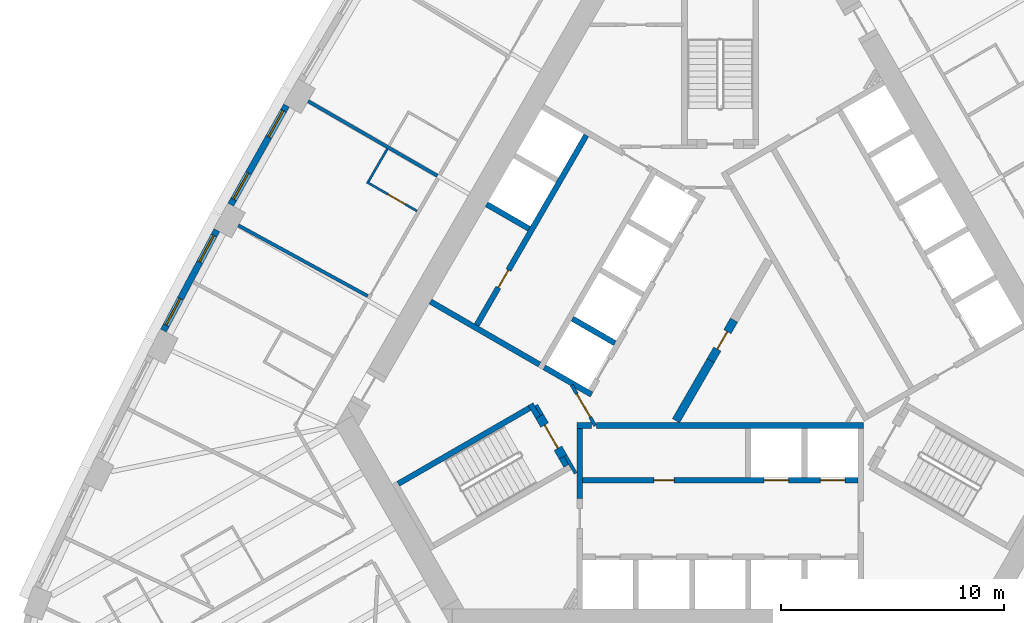
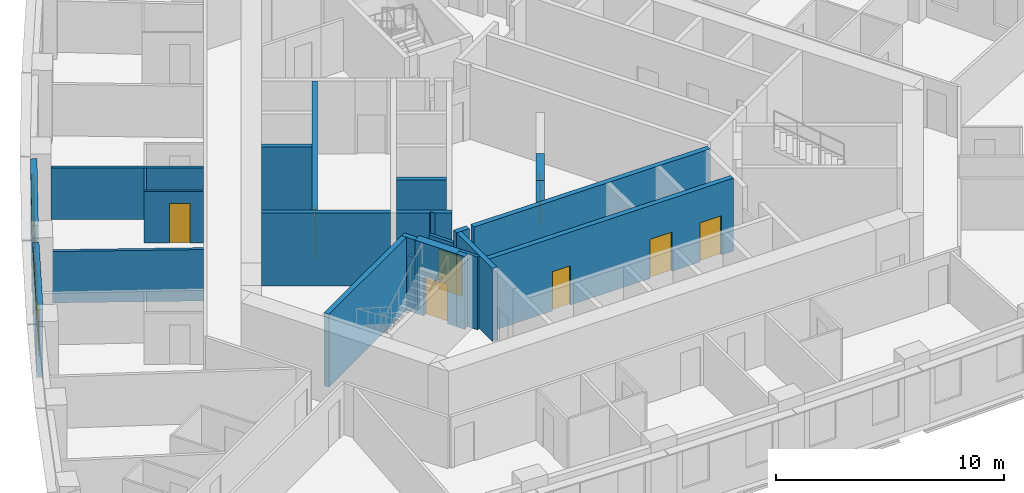
# One storey, part 5 of 12: 24 walls, 8 doors, 4 windows, 12 openings.
"""IFC4 building model written with IfcOpenShell, lengths in metres."""

from ifc_helpers import new_model, si_unit, direction, frame, frame_2d, origin, place, context, subcontext, project, spatial, polyline, rectangle, outline, extrude, material, layer, layer_set, type_object, element, fill, save


model = new_model("IFC4")

# Units and contexts
model_context = context("Model", 3, precision=1e-05, world=origin(), true_north=direction((0.0, 1.0)))
body_context = subcontext(model_context, "Body", "Model", "MODEL_VIEW")
ifc_project = project(units=[si_unit("LENGTHUNIT", "METRE"), si_unit("AREAUNIT", "SQUARE_METRE"), si_unit("VOLUMEUNIT", "CUBIC_METRE"), si_unit("PLANEANGLEUNIT", "RADIAN"), si_unit("MASSUNIT", "GRAM", prefix="KILO")], contexts=[model_context])

# Site, building, storey
site_placement = place(None, origin())
site = spatial("IfcSite", under=ifc_project, at=site_placement, CompositionType="ELEMENT")
building_placement = place(site_placement, origin())
building = spatial("IfcBuilding", under=site, at=building_placement, Name="Mestral Congress Tower", CompositionType="ELEMENT")
storey_placement = place(building_placement, frame((0.0, 0.0, 107.10009765625)))
storey = spatial("IfcBuildingStorey", under=building, at=storey_placement, Name="L25", CompositionType="ELEMENT", Elevation=107.10009765625)

# Walls
ifc_material_1 = material(Name="Fire-rated board partition")
ifc_layer_1 = layer(ifc_material_1, 0.14990234375)
ifc_layer_set_1 = layer_set([ifc_layer_1], Name="Fire-rated board partition")
wall_type_1 = type_object("IfcWallType", Name="Core partition 150", PredefinedType="PARTITIONING", material=ifc_layer_set_1)
wall_1_placement = place(storey_placement, frame((-8.251953125, -2.958251953125, 0.0), z_axis=(0.0, 0.0, 1.0), x_axis=(0.500174715838, -0.865924508047, 0.0)))
element("IfcWall", 1, at=wall_1_placement, inside=storey, type_object=wall_type_1, Name="L25 core wall", PredefinedType="PARTITIONING", context=body_context, shape_type="SweptSolid", body=[
    extrude(rectangle(XDim=0.513916015625, YDim=0.14990234375, at=frame_2d((0.2568359375, 0.0))), origin(), (0.0, 0.0, 1.0), 2.75),
])
placement = place(storey_placement, origin())
element("IfcWall", 2, at=placement, inside=storey, type_object=wall_type_1, Name="L25 core wall", PredefinedType="PARTITIONING", context=body_context, shape_type="SweptSolid", body=[
    extrude(outline(polyline([(-0.590087890625, -0.871826171875), (-0.26513671875, -1.059326171875), (-1.822021484375, -3.755615234375), (-2.146728515625, -3.568115234375), (-0.590087890625, -0.871826171875)])), origin(), (0.0, 0.0, 1.0), 2.75),
])

# Wall, opening, door
wall_3_placement = place(storey_placement, frame((-5.606201171875, -3.8896484375, 0.0), z_axis=(0.0, 0.0, 1.0), x_axis=(-0.500027713859, 0.866009402589, 0.0)))
wall_3 = element("IfcWall", 3, at=wall_3_placement, inside=storey, type_object=wall_type_1, Name="L25 door wall", PredefinedType="PARTITIONING", context=body_context, shape_type="SweptSolid", body=[
    extrude(rectangle(XDim=2.10009765625, YDim=0.14990234375, at=frame_2d((1.050048828125, 0.0))), origin(), (0.0, 0.0, 1.0), 2.75),
])
opening_1_placement = place(wall_3_placement, frame((0.449951171875, 0.0, 0.0)))
opening_1 = element("IfcOpeningElement", 4, at=opening_1_placement, cuts=wall_3, Name="Opening CD3-FF", PredefinedType="OPENING", context=body_context, shape_type="SweptSolid", body=[
    extrude(rectangle(XDim=1.199951171875, YDim=2.10009765625, at=frame_2d((0.60009765625, 1.050048828125))), frame((0.0, 0.0849609375, 0.0), z_axis=(0.0, -1.0, 0.0), x_axis=(1.0, 0.0, 0.0)), (0.0, 0.0, 1.0), 0.169921875),
])
ifc_material_2 = material(Name="Fire-rated steel door set", Category="steel")
door_type_1 = type_object("IfcDoorType", Name="Core door CD 1200x2100", OperationType="SINGLE_SWING_LEFT", PredefinedType="DOOR", material=ifc_material_2)
door_1_placement = place(opening_1_placement, origin())
door_1 = element("IfcDoor", 5, at=door_1_placement, inside=storey, type_object=door_type_1, Name="Door CD3-FF", OperationType="SINGLE_SWING_LEFT", OverallHeight=2.10009765625, OverallWidth=1.199951171875, PredefinedType="DOOR", context=body_context, shape_type="SweptSolid", body=[
    extrude(rectangle(XDim=1.199951171875, YDim=2.10009765625, at=frame_2d((0.60009765625, 1.050048828125))), frame((0.0, 0.02490234375, 0.0), z_axis=(0.0, -1.0, 0.0), x_axis=(1.0, 0.0, 0.0)), (0.0, 0.0, 1.0), 0.050048828125),
])
fill(opening_1, door_1)

ifc_layer_2 = layer(ifc_material_1, 0.375)
ifc_layer_set_2 = layer_set([ifc_layer_2], Name="Fire-rated board partition")
wall_type_2 = type_object("IfcWallType", Name="Core partition 150 door-wall 375", PredefinedType="PARTITIONING", material=ifc_layer_set_2)
wall_4_placement = place(storey_placement, frame((-0.427490234375, -0.965576171875, 0.0), z_axis=(0.0, 0.0, 1.0), x_axis=(0.49994051562, 0.866059744384, 0.0)))
wall_4 = element("IfcWall", 6, at=wall_4_placement, inside=storey, type_object=wall_type_2, Name="L25 door wall", PredefinedType="PARTITIONING", context=body_context, shape_type="SweptSolid", body=[
    extrude(rectangle(XDim=2.099853515625, YDim=0.375, at=frame_2d((1.0498046875, 0.0))), origin(), (0.0, 0.0, 1.0), 2.75),
])
opening_2_placement = place(wall_4_placement, frame((0.60009765625, 0.0, 0.0)))
opening_2 = element("IfcOpeningElement", 7, at=opening_2_placement, cuts=wall_4, Name="Opening CD1-HUB0", PredefinedType="OPENING", context=body_context, shape_type="SweptSolid", body=[
    extrude(rectangle(XDim=0.89990234375, YDim=2.10009765625, at=frame_2d((0.449951171875, 1.050048828125))), frame((0.0, 0.197509765625, 0.0), z_axis=(0.0, -1.0, 0.0), x_axis=(1.0, 0.0, 0.0)), (0.0, 0.0, 1.0), 0.39501953125),
])
door_type_2 = type_object("IfcDoorType", Name="Core door CD 900x2100", OperationType="SINGLE_SWING_LEFT", PredefinedType="DOOR", material=ifc_material_2)
door_2_placement = place(opening_2_placement, origin())
door_2 = element("IfcDoor", 8, at=door_2_placement, inside=storey, type_object=door_type_2, Name="Door CD1-HUB0", OperationType="SINGLE_SWING_LEFT", OverallHeight=2.10009765625, OverallWidth=0.89990234375, PredefinedType="DOOR", context=body_context, shape_type="SweptSolid", body=[
    extrude(rectangle(XDim=0.89990234375, YDim=2.10009765625, at=frame_2d((0.449951171875, 1.050048828125))), frame((0.0, 0.02490234375, 0.0), z_axis=(0.0, -1.0, 0.0), x_axis=(1.0, 0.0, 0.0)), (0.0, 0.0, 1.0), 0.050048828125),
])
fill(opening_2, door_2)

# Wall, openings, windows
ifc_material_3 = material(Name="Precast concrete C40/50 with limestone facing", Category="masonry")
ifc_layer_3 = layer(ifc_material_3, 0.2900390625)
ifc_layer_set_3 = layer_set([ifc_layer_3], Name="Precast concrete C40/50 with limestone facing")
wall_type_3 = type_object("IfcWallType", Name="Facade stone wall 290", PredefinedType="SOLIDWALL", material=ifc_layer_set_3)
wall_5_placement = place(storey_placement, frame((-19.4580078125, 10.479736328125, 0.0), z_axis=(0.0, 0.0, 1.0), x_axis=(-0.48983164787, -0.87181704316, 0.0)))
wall_5 = element("IfcWall", 9, at=wall_5_placement, inside=storey, type_object=wall_type_3, Name="Facade wall F2-04", PredefinedType="SOLIDWALL", context=body_context, shape_type="SweptSolid", body=[
    extrude(rectangle(XDim=5.100341796875, YDim=0.2900390625, at=frame_2d((2.55029296875, 0.0))), origin(), (0.0, 0.0, 1.0), 3.64990234375),
])
opening_3_placement = place(wall_5_placement, frame((0.2724609375, 0.0, 0.89990234375)))
opening_3 = element("IfcOpeningElement", 10, at=opening_3_placement, cuts=wall_5, Name="Opening W2", PredefinedType="OPENING", context=body_context, shape_type="SweptSolid", body=[
    extrude(rectangle(XDim=1.35009765625, YDim=2.14990234375, at=frame_2d((0.675048828125, 1.074951171875))), frame((0.0, 0.155029296875, 0.0), z_axis=(0.0, -1.0, 0.0), x_axis=(1.0, 0.0, 0.0)), (0.0, 0.0, 1.0), 0.31005859375),
])
opening_4_placement = place(wall_5_placement, frame((3.477783203125, 0.0, 0.89990234375)))
opening_4 = element("IfcOpeningElement", 11, at=opening_4_placement, cuts=wall_5, Name="Opening W2", PredefinedType="OPENING", context=body_context, shape_type="SweptSolid", body=[
    extrude(rectangle(XDim=1.35009765625, YDim=2.14990234375, at=frame_2d((0.675048828125, 1.074951171875))), frame((0.0, 0.155029296875, 0.0), z_axis=(0.0, -1.0, 0.0), x_axis=(1.0, 0.0, 0.0)), (0.0, 0.0, 1.0), 0.31005859375),
])
ifc_material_4 = material(Name="Clear low-emissivity double glazing", Category="glass")
window_type = type_object("IfcWindowType", Name="Facade punched window 1350 x 2150 sill 900", PartitioningType="DOUBLE_PANEL_VERTICAL", PredefinedType="WINDOW", material=ifc_material_4)
window_1_placement = place(opening_3_placement, origin())
window_1 = element("IfcWindow", 12, at=window_1_placement, inside=storey, type_object=window_type, Name="Window F2-04a", OverallHeight=2.14990234375, OverallWidth=1.35009765625, PartitioningType="DOUBLE_PANEL_VERTICAL", PredefinedType="WINDOW", context=body_context, shape_type="SweptSolid", body=[
    extrude(rectangle(XDim=1.35009765625, YDim=2.14990234375, at=frame_2d((0.675048828125, 1.074951171875))), frame((0.0, 0.01513671875, 0.0), z_axis=(0.0, -1.0, 0.0), x_axis=(1.0, 0.0, 0.0)), (0.0, 0.0, 1.0), 0.06005859375),
])
fill(opening_3, window_1)
window_2_placement = place(opening_4_placement, origin())
window_2 = element("IfcWindow", 13, at=window_2_placement, inside=storey, type_object=window_type, Name="Window F2-04b", OverallHeight=2.14990234375, OverallWidth=1.35009765625, PartitioningType="DOUBLE_PANEL_VERTICAL", PredefinedType="WINDOW", context=body_context, shape_type="SweptSolid", body=[
    extrude(rectangle(XDim=1.35009765625, YDim=2.14990234375, at=frame_2d((0.675048828125, 1.074951171875))), frame((0.0, 0.01513671875, 0.0), z_axis=(0.0, -1.0, 0.0), x_axis=(1.0, 0.0, 0.0)), (0.0, 0.0, 1.0), 0.06005859375),
])
fill(opening_4, window_2)

wall_6_placement = place(storey_placement, frame((-22.5830078125, 4.88671875, 0.0), z_axis=(0.0, 0.0, 1.0), x_axis=(-0.469323203119, -0.883026461106, 0.0)))
wall_6 = element("IfcWall", 14, at=wall_6_placement, inside=storey, type_object=wall_type_3, Name="Facade wall F2-05", PredefinedType="SOLIDWALL", context=body_context, shape_type="SweptSolid", body=[
    extrude(rectangle(XDim=5.1005859375, YDim=0.2900390625, at=frame_2d((2.55029296875, 0.0))), origin(), (0.0, 0.0, 1.0), 3.64990234375),
])
opening_5_placement = place(wall_6_placement, frame((0.272705078125, 0.0, 0.89990234375)))
opening_5 = element("IfcOpeningElement", 15, at=opening_5_placement, cuts=wall_6, Name="Opening W2", PredefinedType="OPENING", context=body_context, shape_type="SweptSolid", body=[
    extrude(rectangle(XDim=1.35009765625, YDim=2.14990234375, at=frame_2d((0.675048828125, 1.074951171875))), frame((0.0, 0.155029296875, 0.0), z_axis=(0.0, -1.0, 0.0), x_axis=(1.0, 0.0, 0.0)), (0.0, 0.0, 1.0), 0.31005859375),
])
opening_6_placement = place(wall_6_placement, frame((3.477783203125, 0.0, 0.89990234375)))
opening_6 = element("IfcOpeningElement", 16, at=opening_6_placement, cuts=wall_6, Name="Opening W2", PredefinedType="OPENING", context=body_context, shape_type="SweptSolid", body=[
    extrude(rectangle(XDim=1.35009765625, YDim=2.14990234375, at=frame_2d((0.675048828125, 1.074951171875))), frame((0.0, 0.155029296875, 0.0), z_axis=(0.0, -1.0, 0.0), x_axis=(1.0, 0.0, 0.0)), (0.0, 0.0, 1.0), 0.31005859375),
])
window_3_placement = place(opening_5_placement, origin())
window_3 = element("IfcWindow", 17, at=window_3_placement, inside=storey, type_object=window_type, Name="Window F2-05a", OverallHeight=2.14990234375, OverallWidth=1.35009765625, PartitioningType="DOUBLE_PANEL_VERTICAL", PredefinedType="WINDOW", context=body_context, shape_type="SweptSolid", body=[
    extrude(rectangle(XDim=1.35009765625, YDim=2.14990234375, at=frame_2d((0.675048828125, 1.074951171875))), frame((0.0, 0.01513671875, 0.0), z_axis=(0.0, -1.0, 0.0), x_axis=(1.0, 0.0, 0.0)), (0.0, 0.0, 1.0), 0.06005859375),
])
fill(opening_5, window_3)
window_4_placement = place(opening_6_placement, origin())
window_4 = element("IfcWindow", 18, at=window_4_placement, inside=storey, type_object=window_type, Name="Window F2-05b", OverallHeight=2.14990234375, OverallWidth=1.35009765625, PartitioningType="DOUBLE_PANEL_VERTICAL", PredefinedType="WINDOW", context=body_context, shape_type="SweptSolid", body=[
    extrude(rectangle(XDim=1.35009765625, YDim=2.14990234375, at=frame_2d((0.675048828125, 1.074951171875))), frame((0.0, 0.01513671875, 0.0), z_axis=(0.0, -1.0, 0.0), x_axis=(1.0, 0.0, 0.0)), (0.0, 0.0, 1.0), 0.06005859375),
])
fill(opening_6, window_4)

# Wall, opening, door
ifc_material_5 = material(Name="Gypsum board partition on metal studs with mineral wool", Category="composite")
ifc_layer_4 = layer(ifc_material_5, 0.10009765625)
ifc_layer_set_4 = layer_set([ifc_layer_4], Name="Gypsum board partition on metal studs with mineral wool")
wall_type_4 = type_object("IfcWallType", Name="Hotel partition wall 100", PredefinedType="PARTITIONING", material=ifc_layer_set_4)
wall_7_placement = place(storey_placement, frame((-15.851806640625, 7.0439453125, 0.0), z_axis=(0.0, 0.0, 1.0), x_axis=(0.866021400173, -0.500006934395, 0.0)))
wall_7 = element("IfcWall", 19, at=wall_7_placement, inside=storey, type_object=wall_type_4, Name="L25-h-pod21a", PredefinedType="PARTITIONING", context=body_context, shape_type="SweptSolid", body=[
    extrude(rectangle(XDim=2.60009765625, YDim=0.10009765625, at=frame_2d((1.300048828125, 0.0))), origin(), (0.0, 0.0, 1.0), 2.75),
])
opening_7_placement = place(wall_7_placement, frame((1.10009765625, 0.0, 0.0)))
opening_7 = element("IfcOpeningElement", 20, at=opening_7_placement, cuts=wall_7, Name="Opening H08-038", PredefinedType="OPENING", context=body_context, shape_type="SweptSolid", body=[
    extrude(rectangle(XDim=0.89990234375, YDim=2.10009765625, at=frame_2d((0.449951171875, 1.050048828125))), frame((0.0, 0.06005859375, 0.0), z_axis=(0.0, -1.0, 0.0), x_axis=(1.0, 0.0, 0.0)), (0.0, 0.0, 1.0), 0.1201171875),
])
ifc_material_6 = material(Name="Timber veneer door leaf in timber frame", Category="wood")
door_type_3 = type_object("IfcDoorType", Name="Bathroom door 900", OperationType="SINGLE_SWING_LEFT", PredefinedType="DOOR", material=ifc_material_6)
door_3_placement = place(opening_7_placement, origin())
door_3 = element("IfcDoor", 21, at=door_3_placement, inside=storey, type_object=door_type_3, Name="L25-h-d038", OperationType="SINGLE_SWING_RIGHT", OverallHeight=2.10009765625, OverallWidth=0.89990234375, PredefinedType="DOOR", context=body_context, shape_type="SweptSolid", body=[
    extrude(rectangle(XDim=0.89990234375, YDim=2.10009765625, at=frame_2d((0.449951171875, 1.050048828125))), frame((0.0, 0.02490234375, 0.0), z_axis=(0.0, -1.0, 0.0), x_axis=(1.0, 0.0, 0.0)), (0.0, 0.0, 1.0), 0.050048828125),
])
fill(opening_7, door_3)

# Walls
wall_8_placement = place(storey_placement, frame((-15.783447265625, 7.062255859375, 0.0), z_axis=(0.0, 0.0, 1.0), x_axis=(0.499954529098, 0.86605165483, 0.0)))
element("IfcWall", 22, at=wall_8_placement, inside=storey, type_object=wall_type_4, Name="L25-h-pod21b", PredefinedType="PARTITIONING", context=body_context, shape_type="SweptSolid", body=[
    extrude(rectangle(XDim=1.699951171875, YDim=0.10009765625, at=frame_2d((0.85009765625, 0.0))), origin(), (0.0, 0.0, 1.0), 2.75),
])
ifc_layer_5 = layer(ifc_material_5, 0.14990234375)
ifc_layer_set_5 = layer_set([ifc_layer_5], Name="Gypsum board partition on metal studs with mineral wool")
wall_type_5 = type_object("IfcWallType", Name="Hotel partition wall 150", PredefinedType="PARTITIONING", material=ifc_layer_set_5)
wall_9_placement = place(storey_placement, frame((-21.614013671875, 5.1015625, 0.0), z_axis=(0.0, 0.0, 1.0), x_axis=(0.877484555087, -0.479604895287, 0.0)))
element("IfcWall", 23, at=wall_9_placement, inside=storey, type_object=wall_type_5, Name="L25-h-pw05", PredefinedType="PARTITIONING", context=body_context, shape_type="SweptSolid", body=[
    extrude(rectangle(XDim=6.611083984375, YDim=0.14990234375, at=frame_2d((3.3056640625, 0.0))), origin(), (0.0, 0.0, 1.0), 2.75),
])
wall_10_placement = place(storey_placement, frame((-18.484130859375, 10.671875, 0.0), z_axis=(0.0, 0.0, 1.0), x_axis=(0.866019162053, -0.50001081084, 0.0)))
element("IfcWall", 24, at=wall_10_placement, inside=storey, type_object=wall_type_5, Name="L25-h-pw07", PredefinedType="PARTITIONING", context=body_context, shape_type="SweptSolid", body=[
    extrude(rectangle(XDim=6.693603515625, YDim=0.14990234375, at=frame_2d((3.3466796875, 0.0))), origin(), (0.0, 0.0, 1.0), 2.75),
])
ifc_material_7 = material(Name="Concrete C60/75", Category="concrete")
ifc_layer_6 = layer(ifc_material_7, 0.25)
ifc_layer_set_6 = layer_set([ifc_layer_6], Name="Concrete C60/75")
wall_type_6 = type_object("IfcWallType", Name="Shaft wall RC 250", PredefinedType="SOLIDWALL", material=ifc_layer_set_6)
wall_11_placement = place(storey_placement, frame((-5.544921875, -3.875, 0.0), z_axis=(0.0, 0.0, 1.0), x_axis=(1.0, 0.0, 0.0)))
element("IfcWall", 25, at=wall_11_placement, inside=storey, type_object=wall_type_6, Name="L25 core wall", PredefinedType="SOLIDWALL", context=body_context, shape_type="SweptSolid", body=[
    extrude(rectangle(XDim=11.969970703125, YDim=0.25, at=frame_2d((5.98486328125, 0.0))), origin(), (0.0, 0.0, 1.0), 3.89990234375),
])
wall_12_placement = place(storey_placement, frame((-6.425048828125, -3.875, 0.0), z_axis=(0.0, 0.0, 1.0), x_axis=(1.0, 0.0, 0.0)))
element("IfcWall", 26, at=wall_12_placement, inside=storey, type_object=wall_type_6, Name="L25 core wall", PredefinedType="SOLIDWALL", context=body_context, shape_type="SweptSolid", body=[
    extrude(rectangle(XDim=0.657958984375, YDim=0.25, at=frame_2d((0.3291015625, 0.0))), origin(), (0.0, 0.0, 1.0), 3.89990234375),
])
wall_13_placement = place(storey_placement, frame((-6.300048828125, -4.0, 0.0), z_axis=(0.0, 0.0, 1.0), x_axis=(0.0, -1.0, 0.0)))
element("IfcWall", 27, at=wall_13_placement, inside=storey, type_object=wall_type_6, Name="L25 core wall", PredefinedType="SOLIDWALL", context=body_context, shape_type="SweptSolid", body=[
    extrude(rectangle(XDim=3.154296875, YDim=0.25, at=frame_2d((1.5771484375, 0.0))), origin(), (0.0, 0.0, 1.0), 3.89990234375),
])
wall_14_placement = place(storey_placement, frame((-4.72412109375, -0.182373046875, 0.0), z_axis=(0.0, 0.0, 1.0), x_axis=(-0.866008176907, 0.50002983664, 0.0)))
element("IfcWall", 28, at=wall_14_placement, inside=storey, type_object=wall_type_6, Name="L25 core wall", PredefinedType="SOLIDWALL", context=body_context, shape_type="SweptSolid", body=[
    extrude(rectangle(XDim=2.199951171875, YDim=0.25, at=frame_2d((1.10009765625, 0.0))), origin(), (0.0, 0.0, 1.0), 3.89990234375),
])
element("IfcWall", 29, at=placement, inside=storey, type_object=wall_type_6, Name="L25 core wall", PredefinedType="SOLIDWALL", context=body_context, shape_type="SweptSolid", body=[
    extrude(outline(polyline([(-5.921630859375, -2.256591796875), (-5.921630859375, -2.256591796875), (-5.705078125, -2.381591796875), (-5.830078125, -2.597900390625), (-6.48291015625, -2.22119140625), (-6.59130859375, -2.033447265625), (-6.59130859375, -2.033447265625), (-6.69970703125, -2.095947265625), (-7.951904296875, -1.373046875), (-7.826904296875, -1.156494140625), (-5.921630859375, -2.256591796875)])), origin(), (0.0, 0.0, 1.0), 3.89990234375),
])
wall_16_placement = place(storey_placement, frame((-8.10595703125, -1.139892578125, 0.0), z_axis=(0.0, 0.0, 1.0), x_axis=(-0.866000643155, 0.500042884217, 0.0)))
element("IfcWall", 30, at=wall_16_placement, inside=storey, type_object=wall_type_6, Name="L25 core wall", PredefinedType="SOLIDWALL", context=body_context, shape_type="SweptSolid", body=[
    extrude(rectangle(XDim=5.64990234375, YDim=0.25, at=frame_2d((2.824951171875, 0.0))), origin(), (0.0, 0.0, 1.0), 3.89990234375),
])
wall_17_placement = place(storey_placement, frame((-8.57373046875, 4.949951171875, 0.0), z_axis=(0.0, 0.0, 1.0), x_axis=(-0.866008176907, 0.50002983664, 0.0)))
element("IfcWall", 31, at=wall_17_placement, inside=storey, type_object=wall_type_6, Name="L25 core wall", PredefinedType="SOLIDWALL", context=body_context, shape_type="SweptSolid", body=[
    extrude(rectangle(XDim=2.199951171875, YDim=0.25, at=frame_2d((1.10009765625, 0.0))), origin(), (0.0, 0.0, 1.0), 3.89990234375),
])

# Wall, openings, doors
wall_18_placement = place(storey_placement, frame((-6.175048828125, -6.324951171875, 0.0), z_axis=(0.0, 0.0, 1.0), x_axis=(1.0, 0.0, 0.0)))
wall_18 = element("IfcWall", 32, at=wall_18_placement, inside=storey, type_object=wall_type_6, Name="L25 door wall", PredefinedType="SOLIDWALL", context=body_context, shape_type="SweptSolid", body=[
    extrude(rectangle(XDim=12.35009765625, YDim=0.25, at=frame_2d((6.175048828125, 0.0))), origin(), (0.0, 0.0, 1.0), 3.89990234375),
])
opening_8_placement = place(wall_18_placement, frame((3.205078125, 0.0, 0.0)))
opening_8 = element("IfcOpeningElement", 33, at=opening_8_placement, cuts=wall_18, Name="Opening SR-SOB1", PredefinedType="OPENING", context=body_context, shape_type="SweptSolid", body=[
    extrude(rectangle(XDim=0.89990234375, YDim=2.10009765625, at=frame_2d((0.449951171875, 1.050048828125))), frame((0.0, 0.135009765625, 0.0), z_axis=(0.0, -1.0, 0.0), x_axis=(1.0, 0.0, 0.0)), (0.0, 0.0, 1.0), 0.27001953125),
])
opening_9_placement = place(wall_18_placement, frame((8.14501953125, 0.0, 0.0)))
opening_9 = element("IfcOpeningElement", 34, at=opening_9_placement, cuts=wall_18, Name="Opening LD-SOB4", PredefinedType="OPENING", context=body_context, shape_type="SweptSolid", body=[
    extrude(rectangle(XDim=1.10009765625, YDim=2.10009765625, at=frame_2d((0.550048828125, 1.050048828125))), frame((0.0, 0.135009765625, 0.0), z_axis=(0.0, -1.0, 0.0), x_axis=(1.0, 0.0, 0.0)), (0.0, 0.0, 1.0), 0.27001953125),
])
opening_10_placement = place(wall_18_placement, frame((10.6650390625, 0.0, 0.0)))
opening_10 = element("IfcOpeningElement", 35, at=opening_10_placement, cuts=wall_18, Name="Opening LD-SOB5", PredefinedType="OPENING", context=body_context, shape_type="SweptSolid", body=[
    extrude(rectangle(XDim=1.10009765625, YDim=2.10009765625, at=frame_2d((0.550048828125, 1.050048828125))), frame((0.0, 0.135009765625, 0.0), z_axis=(0.0, -1.0, 0.0), x_axis=(1.0, 0.0, 0.0)), (0.0, 0.0, 1.0), 0.27001953125),
])
door_type_4 = type_object("IfcDoorType", Name="Core door LD 1100x2100", OperationType="DOUBLE_DOOR_SLIDING", PredefinedType="DOOR", material=ifc_material_2)
door_4_placement = place(opening_9_placement, origin())
door_4 = element("IfcDoor", 36, at=door_4_placement, inside=storey, type_object=door_type_4, Name="Door LD-SOB4", OperationType="DOUBLE_DOOR_SLIDING", OverallHeight=2.10009765625, OverallWidth=1.10009765625, PredefinedType="DOOR", context=body_context, shape_type="SweptSolid", body=[
    extrude(rectangle(XDim=1.10009765625, YDim=2.10009765625, at=frame_2d((0.550048828125, 1.050048828125))), frame((0.0, 0.02490234375, 0.0), z_axis=(0.0, -1.0, 0.0), x_axis=(1.0, 0.0, 0.0)), (0.0, 0.0, 1.0), 0.050048828125),
])
fill(opening_9, door_4)
door_5_placement = place(opening_10_placement, origin())
door_5 = element("IfcDoor", 37, at=door_5_placement, inside=storey, type_object=door_type_4, Name="Door LD-SOB5", OperationType="DOUBLE_DOOR_SLIDING", OverallHeight=2.10009765625, OverallWidth=1.10009765625, PredefinedType="DOOR", context=body_context, shape_type="SweptSolid", body=[
    extrude(rectangle(XDim=1.10009765625, YDim=2.10009765625, at=frame_2d((0.550048828125, 1.050048828125))), frame((0.0, 0.02490234375, 0.0), z_axis=(0.0, -1.0, 0.0), x_axis=(1.0, 0.0, 0.0)), (0.0, 0.0, 1.0), 0.050048828125),
])
fill(opening_10, door_5)
door_type_5 = type_object("IfcDoorType", Name="Core door SR 900x2100", OperationType="SINGLE_SWING_LEFT", PredefinedType="DOOR", material=ifc_material_2)
door_6_placement = place(opening_8_placement, origin())
door_6 = element("IfcDoor", 38, at=door_6_placement, inside=storey, type_object=door_type_5, Name="Door SR-SOB1", OperationType="SINGLE_SWING_LEFT", OverallHeight=2.10009765625, OverallWidth=0.89990234375, PredefinedType="DOOR", context=body_context, shape_type="SweptSolid", body=[
    extrude(rectangle(XDim=0.89990234375, YDim=2.10009765625, at=frame_2d((0.449951171875, 1.050048828125))), frame((0.0, 0.02490234375, 0.0), z_axis=(0.0, -1.0, 0.0), x_axis=(1.0, 0.0, 0.0)), (0.0, 0.0, 1.0), 0.050048828125),
])
fill(opening_8, door_6)

# Wall, opening, door
wall_19_placement = place(storey_placement, frame((-6.0078125, 9.14404296875, 0.0), z_axis=(0.0, 0.0, 1.0), x_axis=(-0.500006956611, -0.866021387346, 0.0)))
wall_19 = element("IfcWall", 39, at=wall_19_placement, inside=storey, type_object=wall_type_6, Name="L25 door wall", PredefinedType="SOLIDWALL", context=body_context, shape_type="SweptSolid", body=[
    extrude(rectangle(XDim=9.829833984375, YDim=0.25, at=frame_2d((4.9150390625, 0.0))), origin(), (0.0, 0.0, 1.0), 3.89990234375),
])
opening_11_placement = place(wall_19_placement, frame((6.985107421875, 0.0, 0.0)))
opening_11 = element("IfcOpeningElement", 40, at=opening_11_placement, cuts=wall_19, Name="Opening SR-NWA2", PredefinedType="OPENING", context=body_context, shape_type="SweptSolid", body=[
    extrude(rectangle(XDim=0.89990234375, YDim=2.10009765625, at=frame_2d((0.449951171875, 1.050048828125))), frame((0.0, 0.135009765625, 0.0), z_axis=(0.0, -1.0, 0.0), x_axis=(1.0, 0.0, 0.0)), (0.0, 0.0, 1.0), 0.27001953125),
])
door_7_placement = place(opening_11_placement, origin())
door_7 = element("IfcDoor", 41, at=door_7_placement, inside=storey, type_object=door_type_5, Name="Door SR-NWA2", OperationType="SINGLE_SWING_LEFT", OverallHeight=2.10009765625, OverallWidth=0.89990234375, PredefinedType="DOOR", context=body_context, shape_type="SweptSolid", body=[
    extrude(rectangle(XDim=0.89990234375, YDim=2.10009765625, at=frame_2d((0.449951171875, 1.050048828125))), frame((0.0, 0.02490234375, 0.0), z_axis=(0.0, -1.0, 0.0), x_axis=(1.0, 0.0, 0.0)), (0.0, 0.0, 1.0), 0.050048828125),
])
fill(opening_11, door_7)

# Walls
ifc_layer_7 = layer(ifc_material_7, 0.14990234375)
ifc_layer_set_7 = layer_set([ifc_layer_7], Name="Concrete C60/75")
wall_type_7 = type_object("IfcWallType", Name="Shaft wall RC 250 door-wall 150", PredefinedType="SOLIDWALL", material=ifc_layer_set_7)
wall_20_placement = place(storey_placement, frame((-6.48046875, -6.026611328125, 0.0), z_axis=(0.0, 0.0, 1.0), x_axis=(-0.499927229454, 0.866067413802, 0.0)))
element("IfcWall", 42, at=wall_20_placement, inside=storey, type_object=wall_type_7, Name="L25 core wall", PredefinedType="PARTITIONING", context=body_context, shape_type="SweptSolid", body=[
    extrude(rectangle(XDim=0.928955078125, YDim=0.14990234375, at=frame_2d((0.46435546875, 0.0))), origin(), (0.0, 0.0, 1.0), 3.89990234375),
])
ifc_layer_8 = layer(ifc_material_7, 0.25)
ifc_layer_set_8 = layer_set([ifc_layer_8], Name="Concrete C60/75")
wall_type_8 = type_object("IfcWallType", Name="Stair wall RC 250", PredefinedType="SOLIDWALL", material=ifc_layer_set_8)
wall_21_placement = place(storey_placement, frame((-14.43994140625, -6.489501953125, 0.0), z_axis=(0.0, 0.0, 1.0), x_axis=(0.866022966069, 0.500004222222, 0.0)))
element("IfcWall", 43, at=wall_21_placement, inside=storey, type_object=wall_type_8, Name="L25 core wall", PredefinedType="SOLIDWALL", context=body_context, shape_type="SweptSolid", body=[
    extrude(rectangle(XDim=6.80029296875, YDim=0.25, at=frame_2d((3.400146484375, 0.0))), origin(), (0.0, 0.0, 1.0), 3.89990234375),
])
wall_22_placement = place(storey_placement, frame((-8.167724609375, -3.503173828125, 0.0), z_axis=(0.0, 0.0, 1.0), x_axis=(-0.499952099219, 0.866053057547, 0.0)))
element("IfcWall", 44, at=wall_22_placement, inside=storey, type_object=wall_type_8, Name="L25 core wall", PredefinedType="SOLIDWALL", context=body_context, shape_type="SweptSolid", body=[
    extrude(rectangle(XDim=0.6748046875, YDim=0.25, at=frame_2d((0.33740234375, 0.0))), origin(), (0.0, 0.0, 1.0), 3.89990234375),
])
wall_23_placement = place(storey_placement, frame((-6.905029296875, -5.68994140625, 0.0), z_axis=(0.0, 0.0, 1.0), x_axis=(-0.500402024738, 0.865793170242, 0.0)))
element("IfcWall", 45, at=wall_23_placement, inside=storey, type_object=wall_type_8, Name="L25 core wall", PredefinedType="SOLIDWALL", context=body_context, shape_type="SweptSolid", body=[
    extrude(rectangle(XDim=0.425048828125, YDim=0.25, at=frame_2d((0.21240234375, 0.0))), origin(), (0.0, 0.0, 1.0), 3.89990234375),
])

# Wall, opening, door
ifc_layer_9 = layer(ifc_material_7, 0.39990234375)
ifc_layer_set_9 = layer_set([ifc_layer_9], Name="Concrete C60/75")
wall_type_9 = type_object("IfcWallType", Name="Stair wall RC 250 door-wall 400", PredefinedType="SOLIDWALL", material=ifc_layer_set_9)
wall_24_placement = place(storey_placement, frame((-8.102783203125, -3.4658203125, 0.0), z_axis=(0.0, 0.0, 1.0), x_axis=(0.500078061341, -0.865980330357, 0.0)))
wall_24 = element("IfcWall", 46, at=wall_24_placement, inside=storey, type_object=wall_type_9, Name="L25 door wall", PredefinedType="SOLIDWALL", context=body_context, shape_type="SweptSolid", body=[
    extrude(rectangle(XDim=2.099853515625, YDim=0.39990234375, at=frame_2d((1.0498046875, 0.0))), origin(), (0.0, 0.0, 1.0), 3.89990234375),
])
opening_12_placement = place(wall_24_placement, frame((0.449951171875, 0.0, 0.0)))
opening_12 = element("IfcOpeningElement", 47, at=opening_12_placement, cuts=wall_24, Name="Opening ST-D3", PredefinedType="OPENING", context=body_context, shape_type="SweptSolid", body=[
    extrude(rectangle(XDim=1.199951171875, YDim=2.10009765625, at=frame_2d((0.60009765625, 1.050048828125))), frame((0.0, 0.2099609375, 0.0), z_axis=(0.0, -1.0, 0.0), x_axis=(1.0, 0.0, 0.0)), (0.0, 0.0, 1.0), 0.419921875),
])
door_type_6 = type_object("IfcDoorType", Name="Core door ST 1200x2100", OperationType="SINGLE_SWING_LEFT", PredefinedType="DOOR", material=ifc_material_2)
door_8_placement = place(opening_12_placement, origin())
door_8 = element("IfcDoor", 48, at=door_8_placement, inside=storey, type_object=door_type_6, Name="Door ST-D3", OperationType="SINGLE_SWING_LEFT", OverallHeight=2.10009765625, OverallWidth=1.199951171875, PredefinedType="DOOR", context=body_context, shape_type="SweptSolid", body=[
    extrude(rectangle(XDim=1.199951171875, YDim=2.10009765625, at=frame_2d((0.60009765625, 1.050048828125))), frame((0.0, 0.02490234375, 0.0), z_axis=(0.0, -1.0, 0.0), x_axis=(1.0, 0.0, 0.0)), (0.0, 0.0, 1.0), 0.050048828125),
])
fill(opening_12, door_8)

save(model, "model.ifc")
